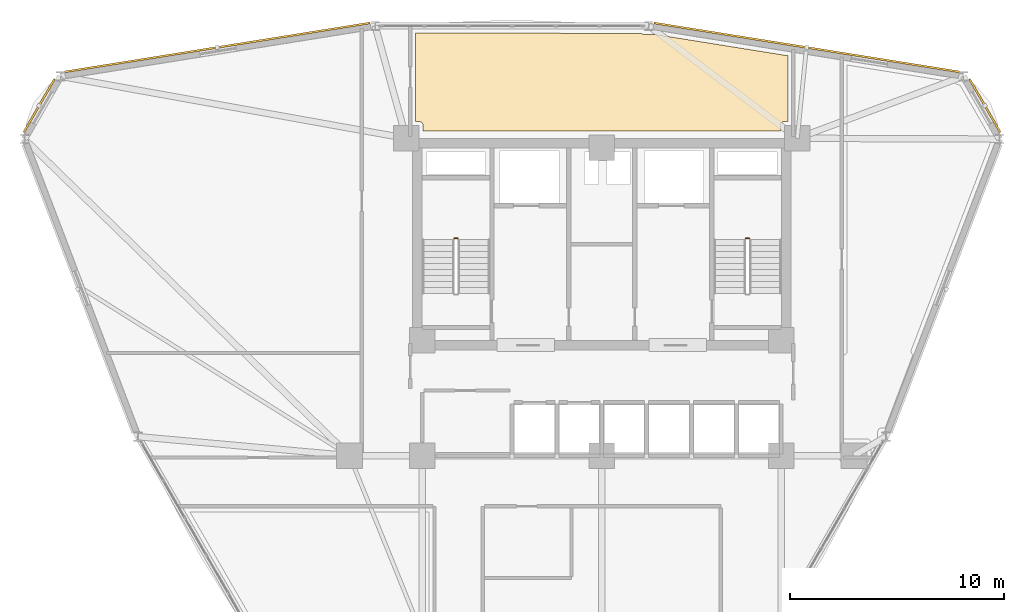
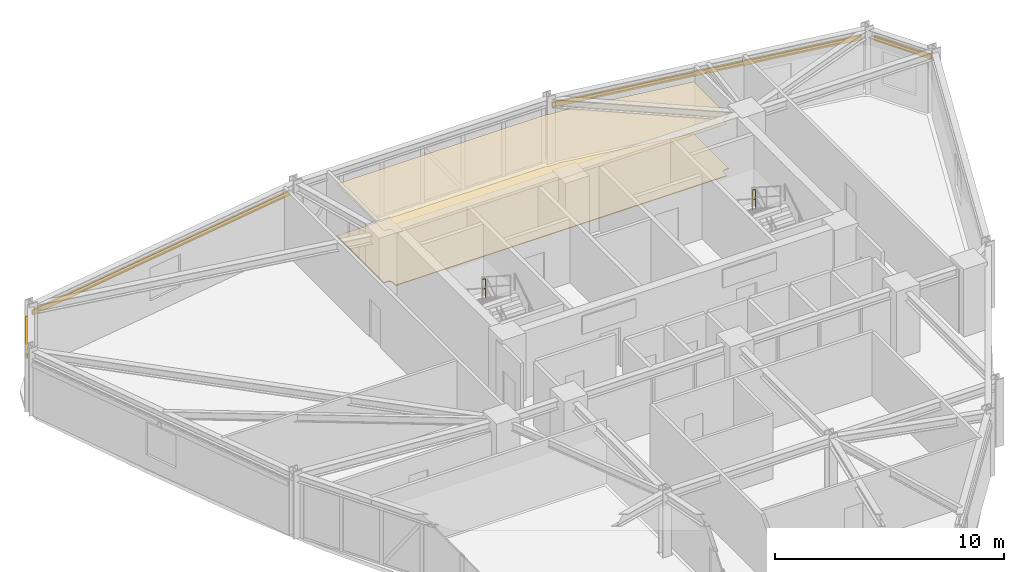
# One storey, part 15 of 15: 4 shading devices, 2 coverings, 2 railings.
"""IFC4 building model written with IfcOpenShell, lengths in metres."""

from ifc_helpers import new_model, si_unit, derived_unit, direction, frame, origin, origin_2d, place, context, subcontext, project, spatial, polyline, hollow_rectangle, circle, outline, extrude, source, transform, mapped, material, layer, layer_set, material_profile, profile_set, type_object, element, save


model = new_model("IFC4")

# Units and contexts
model_context = context("Model", 3, precision=1e-05, world=origin(), true_north=direction((0.0, 1.0)))
body_context = subcontext(model_context, "Body", "Model", "MODEL_VIEW")
ifc_project = project(units=[si_unit("LENGTHUNIT", "METRE"), si_unit("AREAUNIT", "SQUARE_METRE"), si_unit("VOLUMEUNIT", "CUBIC_METRE"), si_unit("PLANEANGLEUNIT", "RADIAN"), si_unit("MASSUNIT", "GRAM", prefix="KILO"), derived_unit("THERMALTRANSMITTANCEUNIT", [(si_unit("POWERUNIT", "WATT"), 1), (si_unit("LENGTHUNIT", "METRE"), -2), (si_unit("THERMODYNAMICTEMPERATUREUNIT", "KELVIN"), -1)])], contexts=[model_context])

# Site, building, storey
site_placement = place(None, origin())
site = spatial("IfcSite", under=ifc_project, at=site_placement, CompositionType="ELEMENT")
building_placement = place(site_placement, origin())
building = spatial("IfcBuilding", under=site, at=building_placement, Name="Korsvarv Bourse and Concert Hall", CompositionType="ELEMENT")
storey_placement = place(building_placement, frame((0.0, 0.0, 161.39990234375)))
storey = spatial("IfcBuildingStorey", under=building, at=storey_placement, Name="L41", CompositionType="ELEMENT", Elevation=161.39990234375)

# Coverings
ifc_material_1 = material(Name="Perforated mineral-wool and birch acoustic baffle ceiling", Category="wood")
ifc_layer_1 = layer(ifc_material_1, 0.02490234375)
ifc_layer_set_1 = layer_set([ifc_layer_1], Name="Perforated mineral-wool and birch acoustic baffle ceiling")
covering_type_1 = type_object("IfcCoveringType", Name="COV-CEIL-1", PredefinedType="CEILING", material=ifc_layer_set_1)
covering_1_placement = place(storey_placement, frame((0.0, 0.0, 2.780029296875)))
element("IfcCovering", 1, at=covering_1_placement, inside=storey, type_object=covering_type_1, Name="L41 acoustic baffle ceiling 3", PredefinedType="CEILING", context=body_context, shape_type="SweptSolid", body=[
    extrude(outline(polyline([(37.856689453125, 52.164306640625), (37.88330078125, 52.141845703125), (37.913818359375, 52.125), (37.94677734375, 52.1142578125), (37.981201171875, 52.110107421875), (38.4033203125, 52.10009765625), (38.438720703125, 52.102783203125), (38.47265625, 52.1123046875), (44.710693359375, 51.111572265625), (44.7099609375, 48.0400390625), (44.550048828125, 48.0400390625), (44.515380859375, 48.03662109375), (44.482177734375, 48.026611328125), (44.451416015625, 48.010498046875), (44.42431640625, 47.98876953125), (44.40185546875, 47.962158203125), (44.385009765625, 47.931640625), (44.374267578125, 47.898681640625), (44.3701171875, 47.864013671875), (44.364013671875, 47.60009765625), (27.639892578125, 47.60009765625), (27.639892578125, 47.85009765625), (27.63671875, 47.884521484375), (27.626708984375, 47.917724609375), (27.610595703125, 47.948486328125), (27.589111328125, 47.975341796875), (27.562744140625, 47.997802734375), (27.532470703125, 48.014892578125), (27.49951171875, 48.025634765625), (27.465087890625, 48.02978515625), (27.2900390625, 48.034912109375), (27.2900390625, 52.16748046875), (37.856689453125, 52.164306640625)])), origin(), (0.0, 0.0, 1.0), 0.025146484375),
])
ifc_material_2 = material(Name="Calcium-sulphate raised access trading floor with Nordic oak top", Category="wood")
ifc_layer_2 = layer(ifc_material_2, 0.0400390625)
ifc_layer_set_2 = layer_set([ifc_layer_2], Name="Calcium-sulphate raised access trading floor with Nordic oak top")
covering_type_2 = type_object("IfcCoveringType", Name="COV-FLOR-1", PredefinedType="FLOORING", material=ifc_layer_set_2)
covering_2_placement = place(storey_placement, origin())
element("IfcCovering", 2, at=covering_2_placement, inside=storey, type_object=covering_type_2, Name="L41 raised access oak floor finish 3", PredefinedType="FLOORING", context=body_context, shape_type="SweptSolid", body=[
    extrude(outline(polyline([(37.856689453125, 52.164306640625), (37.88330078125, 52.141845703125), (37.913818359375, 52.125), (37.94677734375, 52.1142578125), (37.981201171875, 52.110107421875), (38.4033203125, 52.10009765625), (38.438720703125, 52.102783203125), (38.47265625, 52.1123046875), (44.710693359375, 51.111572265625), (44.7099609375, 48.0400390625), (44.550048828125, 48.0400390625), (44.515380859375, 48.03662109375), (44.482177734375, 48.026611328125), (44.451416015625, 48.010498046875), (44.42431640625, 47.98876953125), (44.40185546875, 47.962158203125), (44.385009765625, 47.931640625), (44.374267578125, 47.898681640625), (44.3701171875, 47.864013671875), (44.364013671875, 47.60009765625), (27.639892578125, 47.60009765625), (27.639892578125, 47.85009765625), (27.63671875, 47.884521484375), (27.626708984375, 47.917724609375), (27.610595703125, 47.948486328125), (27.589111328125, 47.975341796875), (27.562744140625, 47.997802734375), (27.532470703125, 48.014892578125), (27.49951171875, 48.025634765625), (27.465087890625, 48.02978515625), (27.2900390625, 48.034912109375), (27.2900390625, 52.16748046875), (37.856689453125, 52.164306640625)])), origin(), (0.0, 0.0, 1.0), 0.0400390625),
])

# Railings
ifc_material_3 = material(Name="Painted Steel S355 stair well guardrail", Category="steel")
railing_type = type_object("IfcRailingType", Name="RL-ST-GRD", PredefinedType="GUARDRAIL", material=ifc_material_3)
for number, where, name in (
    (3, (29.260009765625, 42.570068359375, 1.800048828125), "L41 ST-T1 stair guard 2"),
    (4, (42.89990234375, 42.570068359375, 1.800048828125), "L41 ST-T2 stair guard 2"),
):
    element("IfcRailing", number, at=place(storey_placement, frame(where)), inside=storey, type_object=railing_type, Name=name, PredefinedType="GUARDRAIL", context=body_context, shape_type="SweptSolid", body=[
        extrude(circle(Radius=0.02392578125, at=origin_2d()), frame((0.0, 0.0, 1.076171875), z_axis=(-1.0, 0.0, 0.0), x_axis=(0.0, -1.0, 0.0)), (0.0, 0.0, 1.0), 0.159912109375),
        extrude(circle(Radius=0.02392578125, at=origin_2d()), frame((0.0, 0.0, 0.550048828125), z_axis=(-1.0, 0.0, 0.0), x_axis=(0.0, -1.0, 0.0)), (0.0, 0.0, 1.0), 0.159912109375),
        extrude(circle(Radius=0.02099609375, at=origin_2d()), origin(), (0.0, 0.0, 1.0), 1.052001953125),
        extrude(circle(Radius=0.02099609375, at=origin_2d()), frame((-0.159912109375, 0.0, 0.0)), (0.0, 0.0, 1.0), 1.052001953125),
    ])

# Shading devices
ifc_material_4 = material(Name="Glazed extruded architectural terracotta", Category="ceramic")
ifc_material_profile = material_profile(ifc_material_4, hollow_rectangle(XDim=0.090087890625, YDim=0.260009765625, WallThickness=0.011962890625, at=origin_2d()), Name="TC-BAG 90x260")
ifc_profile_set = profile_set([ifc_material_profile], Name="Glazed extruded architectural terracotta")
shading_device_type = type_object("IfcShadingDeviceType", Name="SHD-BAG-1", PredefinedType="USERDEFINED", material=ifc_profile_set)
shared_shape_1 = source(origin(), body_context, "Body", "SweptSolid", [
    extrude(hollow_rectangle(XDim=0.090087890625, YDim=0.260009765625, WallThickness=0.011962890625, at=origin_2d()), origin(), (0.0, 0.0, 1.0), 2.877685546875),
])
shading_device_1_placement = place(storey_placement, frame((54.64599609375, 47.52880859375, 2.840087890625), z_axis=(-0.499962359318, 0.866047134552, 0.0), x_axis=(-0.866047134552, -0.499962359318, 0.0)))
element("IfcShadingDevice", 5, at=shading_device_1_placement, inside=storey, type_object=shading_device_type, Name="L41 terracotta baguette sunshade EW-L41-B01", ObjectType="BAGUETTE", PredefinedType="USERDEFINED", context=body_context, shape_type="MappedRepresentation", body=[
    mapped(shared_shape_1, transform((0.0, 0.0, 0.0), scale=1.0)),
])
shared_shape_2 = source(origin(), body_context, "Body", "SweptSolid", [
    extrude(hollow_rectangle(XDim=0.090087890625, YDim=0.260009765625, WallThickness=0.011962890625, at=origin_2d()), origin(), (0.0, 0.0, 1.0), 14.477294921875),
])
for number, where, z_axis, x_axis, name in (
    (6, (52.7353515625, 50.357421875, 2.840087890625), (-0.987420840227, 0.158114149539, 0.0), (-0.158114149539, -0.987420840227, 0.0), "L41 terracotta baguette sunshade EW-L41-B02"),
    (7, (25.159912109375, 52.646484375, 2.7900390625), (-0.987420840227, -0.158114149539, 0.0), (0.158114149539, -0.987420840227, 0.0), "L41 terracotta baguette sunshade EW-L41-B04"),
):
    element("IfcShadingDevice", number, at=place(storey_placement, frame(where, z_axis=z_axis, x_axis=x_axis)), inside=storey, type_object=shading_device_type, Name=name, ObjectType="BAGUETTE", PredefinedType="USERDEFINED", context=body_context, shape_type="MappedRepresentation", body=[
        mapped(shared_shape_2, transform((0.0, 0.0, 0.0), scale=1.0)),
    ])
shared_shape_3 = source(origin(), body_context, "Body", "SweptSolid", [
    extrude(hollow_rectangle(XDim=0.090087890625, YDim=0.260009765625, WallThickness=0.011962890625, at=origin_2d()), origin(), (0.0, 0.0, 1.0), 2.87744140625),
])
shading_device_2_placement = place(storey_placement, frame((10.392578125, 50.02099609375, 2.840087890625), z_axis=(-0.499898722045, -0.866083868743, 0.0), x_axis=(0.866083868743, -0.499898722045, 0.0)))
element("IfcShadingDevice", 8, at=shading_device_2_placement, inside=storey, type_object=shading_device_type, Name="L41 terracotta baguette sunshade EW-L41-B05", ObjectType="BAGUETTE", PredefinedType="USERDEFINED", context=body_context, shape_type="MappedRepresentation", body=[
    mapped(shared_shape_3, transform((0.0, 0.0, 0.0), scale=1.0)),
])

save(model, "model.ifc")
